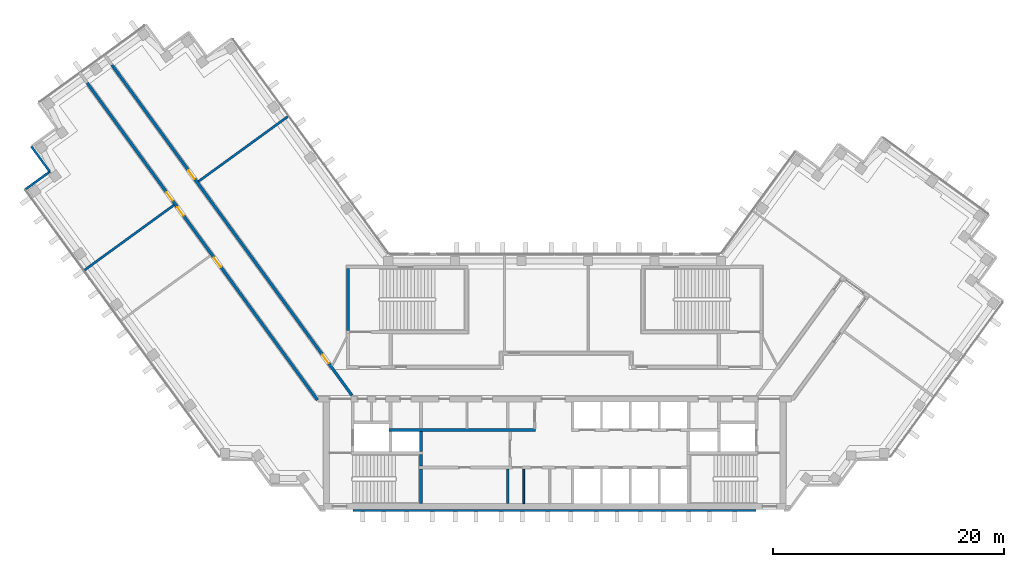
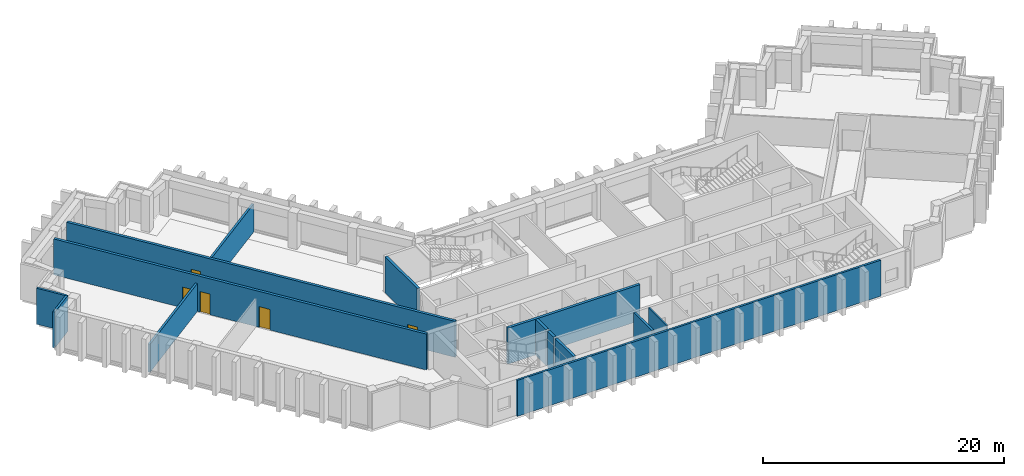
# One storey, part 4 of 9: 14 walls, 5 doors, 5 openings.
"""IFC4 building model written with IfcOpenShell, lengths in metres."""

from ifc_helpers import new_model, si_unit, direction, frame, frame_2d, origin, place, context, subcontext, project, spatial, rectangle, extrude, material, layer, layer_set, type_object, element, fill, save


model = new_model("IFC4")

# Units and contexts
model_context = context("Model", 3, precision=1e-05, world=origin(), true_north=direction((0.0, 1.0)))
body_context = subcontext(model_context, "Body", "Model", "MODEL_VIEW")
ifc_project = project(units=[si_unit("LENGTHUNIT", "METRE"), si_unit("AREAUNIT", "SQUARE_METRE"), si_unit("VOLUMEUNIT", "CUBIC_METRE"), si_unit("PLANEANGLEUNIT", "RADIAN"), si_unit("MASSUNIT", "GRAM", prefix="KILO")], contexts=[model_context])

# Site, building, storey
site_placement = place(None, origin())
site = spatial("IfcSite", under=ifc_project, at=site_placement, CompositionType="ELEMENT")
building_placement = place(site_placement, origin())
building = spatial("IfcBuilding", under=site, at=building_placement, Name="Quipu Civic Tower", CompositionType="ELEMENT")
storey_placement = place(building_placement, frame((0.0, 0.0, 230.0)))
storey = spatial("IfcBuildingStorey", under=building, at=storey_placement, Name="L54", CompositionType="ELEMENT", Elevation=230.0)

# Walls
ifc_material_1 = material(Name="Fired clay blockwork", Category="masonry")
ifc_layer_1 = layer(ifc_material_1, 0.199951171875)
ifc_layer_set_1 = layer_set([ifc_layer_1], Name="Fired clay blockwork")
wall_type_1 = type_object("IfcWallType", Name="Blockwork wall 200", PredefinedType="SOLIDWALL", material=ifc_layer_set_1)
wall_1_placement = place(storey_placement, frame((-23.112060546875, 22.99755859375, 0.0), z_axis=(0.0, 0.0, 1.0), x_axis=(-0.809043311713, -0.587749027879, 0.0)))
element("IfcWall", 1, at=wall_1_placement, inside=storey, type_object=wall_type_1, Name="Partition P05", PredefinedType="SOLIDWALL", context=body_context, shape_type="SweptSolid", body=[
    extrude(rectangle(XDim=9.549560546875, YDim=0.199951171875, at=frame_2d((4.77490234375, 0.0))), origin(), (0.0, 0.0, 1.0), 2.85009765625),
])
wall_2_placement = place(storey_placement, frame((-32.943115234375, 15.348876953125, 0.0), z_axis=(0.0, 0.0, 1.0), x_axis=(-0.80903787798, -0.587756507402, 0.0)))
element("IfcWall", 2, at=wall_2_placement, inside=storey, type_object=wall_type_1, Name="Partition P06", PredefinedType="SOLIDWALL", context=body_context, shape_type="SweptSolid", body=[
    extrude(rectangle(XDim=9.651611328125, YDim=0.199951171875, at=frame_2d((4.82568359375, 0.0))), origin(), (0.0, 0.0, 1.0), 2.85009765625),
])
ifc_material_2 = material(Name="Concrete C70/85", Category="concrete")
ifc_layer_2 = layer(ifc_material_2, 0.25)
ifc_layer_set_2 = layer_set([ifc_layer_2], Name="Concrete C70/85")
wall_type_2 = type_object("IfcWallType", Name="Core wall 250", PredefinedType="SHEAR", material=ifc_layer_set_2)
wall_3_placement = place(storey_placement, frame((-11.574951171875, -10.5, 0.0), z_axis=(0.0, 0.0, 1.0), x_axis=(0.0, 1.0, 0.0)))
element("IfcWall", 3, at=wall_3_placement, inside=storey, type_object=wall_type_2, Name="Core wall", PredefinedType="SHEAR", context=body_context, shape_type="SweptSolid", body=[
    extrude(rectangle(XDim=3.0, YDim=0.25, at=frame_2d((1.5, 0.0))), origin(), (0.0, 0.0, 1.0), 3.64990234375),
])
wall_4_placement = place(storey_placement, frame((-11.574951171875, -7.25, 0.0), z_axis=(0.0, 0.0, 1.0), x_axis=(0.0, 1.0, 0.0)))
element("IfcWall", 4, at=wall_4_placement, inside=storey, type_object=wall_type_2, Name="Core wall", PredefinedType="SHEAR", context=body_context, shape_type="SweptSolid", body=[
    extrude(rectangle(XDim=1.0, YDim=0.25, at=frame_2d((0.5, 0.0))), origin(), (0.0, 0.0, 1.0), 3.64990234375),
])
wall_5_placement = place(storey_placement, frame((-11.574951171875, -6.0, 0.0), z_axis=(0.0, 0.0, 1.0), x_axis=(0.0, 1.0, 0.0)))
element("IfcWall", 5, at=wall_5_placement, inside=storey, type_object=wall_type_2, Name="Core wall", PredefinedType="SHEAR", context=body_context, shape_type="SweptSolid", body=[
    extrude(rectangle(XDim=1.75, YDim=0.25, at=frame_2d((0.875, 0.0))), origin(), (0.0, 0.0, 1.0), 3.64990234375),
])
wall_6_placement = place(storey_placement, frame((-14.35009765625, -4.125, 0.0), z_axis=(0.0, 0.0, 1.0), x_axis=(1.0, 0.0, 0.0)))
element("IfcWall", 6, at=wall_6_placement, inside=storey, type_object=wall_type_2, Name="Core wall", PredefinedType="SHEAR", context=body_context, shape_type="SweptSolid", body=[
    extrude(rectangle(XDim=12.7001953125, YDim=0.25, at=frame_2d((6.35009765625, 0.0))), origin(), (0.0, 0.0, 1.0), 3.64990234375),
])
wall_7_placement = place(storey_placement, frame((-17.875, 4.5, 0.0), z_axis=(0.0, 0.0, 1.0), x_axis=(0.0, 1.0, 0.0)))
element("IfcWall", 7, at=wall_7_placement, inside=storey, type_object=wall_type_2, Name="Core wall", PredefinedType="SHEAR", context=body_context, shape_type="SweptSolid", body=[
    extrude(rectangle(XDim=5.35009765625, YDim=0.25, at=frame_2d((2.675048828125, 0.0))), origin(), (0.0, 0.0, 1.0), 3.64990234375),
])

# Wall, openings, doors
ifc_material_3 = material(Name="Concrete C50/60", Category="concrete")
ifc_layer_3 = layer(ifc_material_3, 0.25)
ifc_layer_set_3 = layer_set([ifc_layer_3], Name="Concrete C50/60")
wall_type_3 = type_object("IfcWallType", Name="Corridor wall 250 concrete", PredefinedType="SOLIDWALL", material=ifc_layer_set_3)
wall_8_placement = place(storey_placement, frame((-20.531005859375, -1.5234375, 0.0), z_axis=(0.0, 0.0, 1.0), x_axis=(-0.587781654618, 0.809019608226, 0.0)))
wall_8 = element("IfcWall", 8, at=wall_8_placement, inside=storey, type_object=wall_type_3, Name="Corridor wall C05", PredefinedType="SOLIDWALL", context=body_context, shape_type="SweptSolid", body=[
    extrude(rectangle(XDim=33.9111328125, YDim=0.25, at=frame_2d((16.95556640625, 0.0))), origin(), (0.0, 0.0, 1.0), 3.64990234375),
])
opening_1_placement = place(wall_8_placement, frame((14.215576171875, 0.0, 0.0)))
opening_1 = element("IfcOpeningElement", 9, at=opening_1_placement, cuts=wall_8, Name="Opening D012", PredefinedType="OPENING", context=body_context, shape_type="SweptSolid", body=[
    extrude(rectangle(XDim=1.0, YDim=2.10009765625, at=frame_2d((0.5, 1.050048828125))), frame((0.0, 0.135009765625, 0.0), z_axis=(0.0, -1.0, 0.0), x_axis=(1.0, 0.0, 0.0)), (0.0, 0.0, 1.0), 0.27001953125),
])
opening_2_placement = place(wall_8_placement, frame((19.715087890625, 0.0, 0.0)))
opening_2 = element("IfcOpeningElement", 10, at=opening_2_placement, cuts=wall_8, Name="Opening D011", PredefinedType="OPENING", context=body_context, shape_type="SweptSolid", body=[
    extrude(rectangle(XDim=0.89990234375, YDim=2.10009765625, at=frame_2d((0.449951171875, 1.050048828125))), frame((0.0, 0.135009765625, 0.0), z_axis=(0.0, -1.0, 0.0), x_axis=(1.0, 0.0, 0.0)), (0.0, 0.0, 1.0), 0.27001953125),
])
opening_3_placement = place(wall_8_placement, frame((21.31591796875, 0.0, 0.0)))
opening_3 = element("IfcOpeningElement", 11, at=opening_3_placement, cuts=wall_8, Name="Opening D010", PredefinedType="OPENING", context=body_context, shape_type="SweptSolid", body=[
    extrude(rectangle(XDim=0.89990234375, YDim=2.10009765625, at=frame_2d((0.449951171875, 1.050048828125))), frame((0.0, 0.135009765625, 0.0), z_axis=(0.0, -1.0, 0.0), x_axis=(1.0, 0.0, 0.0)), (0.0, 0.0, 1.0), 0.27001953125),
])
ifc_material_4 = material(Name="Fire rated timber door set with metal frame", Category="wood")
door_type_1 = type_object("IfcDoorType", Name="Single door 1000 x 2100 FD60", OperationType="NOTDEFINED", PredefinedType="DOOR", material=ifc_material_4)
door_1_placement = place(opening_1_placement, origin())
door_1 = element("IfcDoor", 12, at=door_1_placement, inside=storey, type_object=door_type_1, Name="Door D012", OperationType="SINGLE_SWING_RIGHT", OverallHeight=2.10009765625, OverallWidth=1.0, PredefinedType="DOOR", context=body_context, shape_type="SweptSolid", body=[
    extrude(rectangle(XDim=1.0, YDim=2.10009765625, at=frame_2d((0.5, 1.050048828125))), frame((0.0, 0.02490234375, 0.0), z_axis=(0.0, -1.0, 0.0), x_axis=(1.0, 0.0, 0.0)), (0.0, 0.0, 1.0), 0.050048828125),
])
fill(opening_1, door_1)
ifc_material_5 = material(Name="Fire rated timber door set with metal frame", Category="wood")
door_type_2 = type_object("IfcDoorType", Name="Single door 900 x 2100 FD60", OperationType="NOTDEFINED", PredefinedType="DOOR", material=ifc_material_5)
door_2_placement = place(opening_2_placement, origin())
door_2 = element("IfcDoor", 13, at=door_2_placement, inside=storey, type_object=door_type_2, Name="Door D011", OperationType="SINGLE_SWING_RIGHT", OverallHeight=2.10009765625, OverallWidth=0.89990234375, PredefinedType="DOOR", context=body_context, shape_type="SweptSolid", body=[
    extrude(rectangle(XDim=0.89990234375, YDim=2.10009765625, at=frame_2d((0.449951171875, 1.050048828125))), frame((0.0, 0.02490234375, 0.0), z_axis=(0.0, -1.0, 0.0), x_axis=(1.0, 0.0, 0.0)), (0.0, 0.0, 1.0), 0.050048828125),
])
fill(opening_2, door_2)
door_3_placement = place(opening_3_placement, origin())
door_3 = element("IfcDoor", 14, at=door_3_placement, inside=storey, type_object=door_type_2, Name="Door D010", OperationType="SINGLE_SWING_LEFT", OverallHeight=2.10009765625, OverallWidth=0.89990234375, PredefinedType="DOOR", context=body_context, shape_type="SweptSolid", body=[
    extrude(rectangle(XDim=0.89990234375, YDim=2.10009765625, at=frame_2d((0.449951171875, 1.050048828125))), frame((0.0, 0.02490234375, 0.0), z_axis=(0.0, -1.0, 0.0), x_axis=(1.0, 0.0, 0.0)), (0.0, 0.0, 1.0), 0.050048828125),
])
fill(opening_3, door_3)

wall_9_placement = place(storey_placement, frame((-38.31982421875, 27.46923828125, 0.0), z_axis=(0.0, 0.0, 1.0), x_axis=(0.587788021768, -0.809014982226, 0.0)))
wall_9 = element("IfcWall", 15, at=wall_9_placement, inside=storey, type_object=wall_type_3, Name="Corridor wall C06", PredefinedType="SOLIDWALL", context=body_context, shape_type="SweptSolid", body=[
    extrude(rectangle(XDim=35.34423828125, YDim=0.25, at=frame_2d((17.672119140625, 0.0))), origin(), (0.0, 0.0, 1.0), 3.64990234375),
])
opening_4_placement = place(wall_9_placement, frame((31.002685546875, 0.0, 0.0)))
opening_4 = element("IfcOpeningElement", 16, at=opening_4_placement, cuts=wall_9, Name="Opening D009", PredefinedType="OPENING", context=body_context, shape_type="SweptSolid", body=[
    extrude(rectangle(XDim=0.89990234375, YDim=2.10009765625, at=frame_2d((0.449951171875, 1.050048828125))), frame((0.0, 0.135009765625, 0.0), z_axis=(0.0, -1.0, 0.0), x_axis=(1.0, 0.0, 0.0)), (0.0, 0.0, 1.0), 0.27001953125),
])
opening_5_placement = place(wall_9_placement, frame((11.286376953125, 0.0, 0.0)))
opening_5 = element("IfcOpeningElement", 17, at=opening_5_placement, cuts=wall_9, Name="Opening D008", PredefinedType="OPENING", context=body_context, shape_type="SweptSolid", body=[
    extrude(rectangle(XDim=0.89990234375, YDim=2.10009765625, at=frame_2d((0.449951171875, 1.050048828125))), frame((0.0, 0.135009765625, 0.0), z_axis=(0.0, -1.0, 0.0), x_axis=(1.0, 0.0, 0.0)), (0.0, 0.0, 1.0), 0.27001953125),
])
door_4_placement = place(opening_4_placement, origin())
door_4 = element("IfcDoor", 18, at=door_4_placement, inside=storey, type_object=door_type_2, Name="Door D009", OperationType="SINGLE_SWING_RIGHT", OverallHeight=2.10009765625, OverallWidth=0.89990234375, PredefinedType="DOOR", context=body_context, shape_type="SweptSolid", body=[
    extrude(rectangle(XDim=0.89990234375, YDim=2.10009765625, at=frame_2d((0.449951171875, 1.050048828125))), frame((0.0, 0.02490234375, 0.0), z_axis=(0.0, -1.0, 0.0), x_axis=(1.0, 0.0, 0.0)), (0.0, 0.0, 1.0), 0.050048828125),
])
fill(opening_4, door_4)
door_5_placement = place(opening_5_placement, origin())
door_5 = element("IfcDoor", 19, at=door_5_placement, inside=storey, type_object=door_type_2, Name="Door D008", OperationType="SINGLE_SWING_RIGHT", OverallHeight=2.10009765625, OverallWidth=0.89990234375, PredefinedType="DOOR", context=body_context, shape_type="SweptSolid", body=[
    extrude(rectangle(XDim=0.89990234375, YDim=2.10009765625, at=frame_2d((0.449951171875, 1.050048828125))), frame((0.0, 0.02490234375, 0.0), z_axis=(0.0, -1.0, 0.0), x_axis=(1.0, 0.0, 0.0)), (0.0, 0.0, 1.0), 0.050048828125),
])
fill(opening_5, door_5)

# Walls
ifc_material_6 = material(Name="Gypsum board partition")
ifc_layer_4 = layer(ifc_material_6, 0.14990234375)
ifc_layer_set_4 = layer_set([ifc_layer_4], Name="Gypsum board partition")
wall_type_4 = type_object("IfcWallType", Name="Partition 150", PredefinedType="PARTITIONING", material=ifc_layer_set_4)
wall_10_placement = place(storey_placement, frame((-2.675048828125, -10.5, 0.0), z_axis=(0.0, 0.0, 1.0), x_axis=(0.0, 1.0, 0.0)))
element("IfcWall", 20, at=wall_10_placement, inside=storey, type_object=wall_type_4, Name="Partition", PredefinedType="PARTITIONING", context=body_context, shape_type="SweptSolid", body=[
    extrude(rectangle(XDim=3.0, YDim=0.14990234375, at=frame_2d((1.5, 0.0))), origin(), (0.0, 0.0, 1.0), 3.64990234375),
])
ifc_material_7 = material(Name="Precast concrete C40/50", Category="concrete")
wall_type_5 = type_object("IfcWallType", Name="Precast cladding wall", PredefinedType="SOLIDWALL", material=ifc_material_7)
for number, where, z_axis, x_axis, name in (
    (21, (-45.29638671875, 20.43359375, 0.0), (0.0, 0.0, 1.0), (0.587762999008, -0.809033161865, 0.0), "Precast cladding wall L54 9"),
    (22, (-43.658203125, 18.271728515625, 0.0), (0.0, 0.0, 1.0), (-0.808958916286, -0.58786518162, 0.0), "Precast cladding wall L54 10"),
):
    element("IfcWall", number, at=place(storey_placement, frame(where, z_axis=z_axis, x_axis=x_axis)), inside=storey, type_object=wall_type_5, Name=name, PredefinedType="SOLIDWALL", context=body_context, shape_type="SweptSolid", body=[
        extrude(rectangle(XDim=2.699951171875, YDim=0.199951171875, at=frame_2d((1.35009765625, 0.0))), origin(), (0.0, 0.0, 1.0), 3.64990234375),
    ])
wall_11_placement = place(storey_placement, frame((-17.44384765625, -11.087890625, 0.0), z_axis=(0.0, 0.0, 1.0), x_axis=(1.0, 0.0, 0.0)))
element("IfcWall", 23, at=wall_11_placement, inside=storey, type_object=wall_type_5, Name="Precast cladding wall L54 17", PredefinedType="SOLIDWALL", context=body_context, shape_type="SweptSolid", body=[
    extrude(rectangle(XDim=34.8876953125, YDim=0.199951171875, at=frame_2d((17.44384765625, 0.0))), origin(), (0.0, 0.0, 1.0), 3.64990234375),
])
ifc_material_8 = material(Name="Concrete C40/50", Category="concrete")
ifc_layer_5 = layer(ifc_material_8, 0.199951171875)
ifc_layer_set_5 = layer_set([ifc_layer_5], Name="Concrete C40/50")
wall_type_6 = type_object("IfcWallType", Name="Shaft wall 200", PredefinedType="SOLIDWALL", material=ifc_layer_set_5)
wall_12_placement = place(storey_placement, frame((-4.050048828125, -10.5, 0.0), z_axis=(0.0, 0.0, 1.0), x_axis=(0.0, 1.0, 0.0)))
element("IfcWall", 24, at=wall_12_placement, inside=storey, type_object=wall_type_6, Name="Shaft wall", PredefinedType="SOLIDWALL", context=body_context, shape_type="SweptSolid", body=[
    extrude(rectangle(XDim=3.0, YDim=0.199951171875, at=frame_2d((1.5, 0.0))), origin(), (0.0, 0.0, 1.0), 3.64990234375),
])

save(model, "model.ifc")
